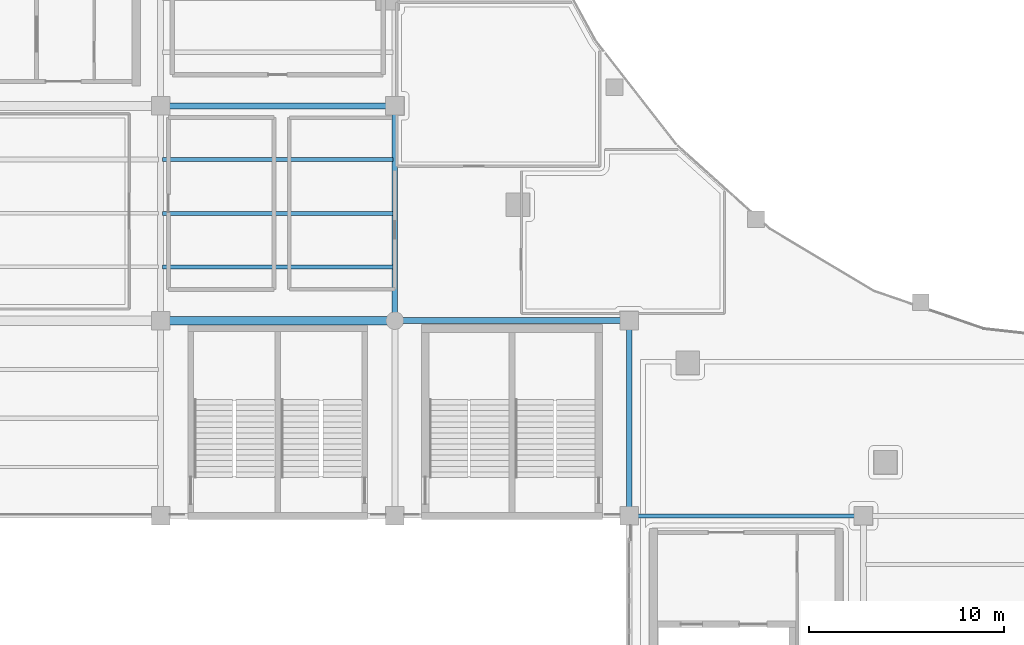
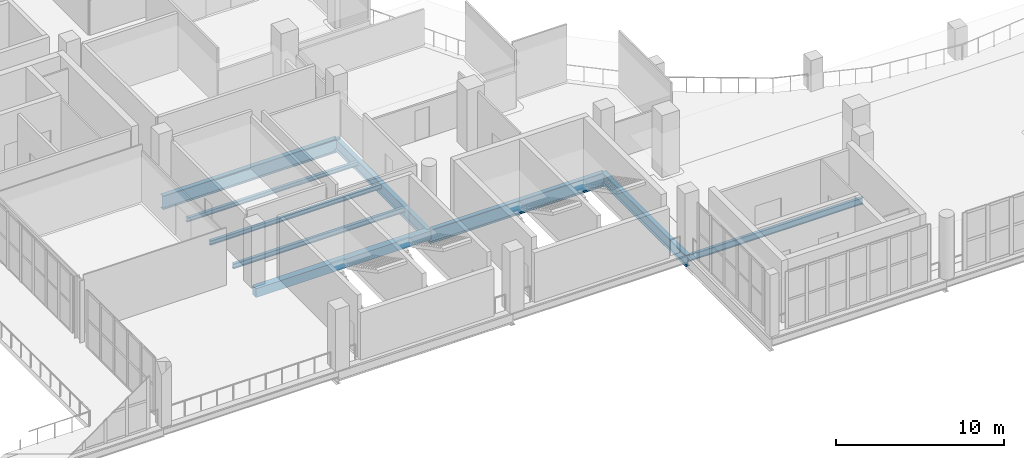
# One storey, part 19 of 90: 9 beams.
"""IFC4 building model written with IfcOpenShell, lengths in metres."""

from ifc_helpers import new_model, si_unit, direction, frame, origin, origin_2d, place, context, subcontext, project, spatial, rectangle, i_section, extrude, material, material_profile, profile_set, type_object, element, save


model = new_model("IFC4")

# Units and contexts
model_context = context("Model", 3, precision=1e-05, world=origin(), true_north=direction((0.0, 1.0)))
body_context = subcontext(model_context, "Body", "Model", "MODEL_VIEW")
ifc_project = project(units=[si_unit("LENGTHUNIT", "METRE"), si_unit("AREAUNIT", "SQUARE_METRE"), si_unit("VOLUMEUNIT", "CUBIC_METRE"), si_unit("PLANEANGLEUNIT", "RADIAN"), si_unit("MASSUNIT", "GRAM", prefix="KILO")], contexts=[model_context])

# Site, building, storey
site_placement = place(None, origin())
site = spatial("IfcSite", under=ifc_project, at=site_placement, CompositionType="ELEMENT")
building_placement = place(site_placement, origin())
building = spatial("IfcBuilding", under=site, at=building_placement, Name="Brinegate Civic Arena", CompositionType="ELEMENT")
storey_placement = place(building_placement, frame((0.0, 0.0, 14.699951171875)))
storey = spatial("IfcBuildingStorey", under=building, at=storey_placement, Name="L03", CompositionType="ELEMENT", Elevation=14.699951171875)

# Beams
ifc_material_1 = material(Name="Steel S355", Category="steel")
ifc_material_profile_1 = material_profile(ifc_material_1, i_section(OverallWidth=0.300048828125, OverallDepth=1.0, WebThickness=0.01904296875, FlangeThickness=0.031982421875, FilletRadius=0.02392578125, at=origin_2d()), Name="W1000X321")
ifc_profile_set_1 = profile_set([ifc_material_profile_1], Name="Steel S355")
beam_type_1 = type_object("IfcBeamType", Name="GIRDER-W1000X321", PredefinedType="BEAM", material=ifc_profile_set_1)
for number, where, z_axis, x_axis, name in (
    (1, (72.0, 20.0, -0.849853515625), (1.0, 0.0, 0.0), (0.0, 1.0, 0.0), "Floor Girder BM-L03-GX-06-02"),
    (2, (60.0, 31.0, -0.849853515625), (1.0, 0.0, 0.0), (0.0, 1.0, 0.0), "Floor Girder BM-L03-GX-05-03"),
):
    element("IfcBeam", number, at=place(storey_placement, frame(where, z_axis=z_axis, x_axis=x_axis)), inside=storey, type_object=beam_type_1, Name=name, PredefinedType="BEAM", context=body_context, shape_type="SweptSolid", body=[
        extrude(i_section(OverallWidth=0.300048828125, OverallDepth=1.0, WebThickness=0.01904296875, FlangeThickness=0.031982421875, FilletRadius=0.02392578125, at=origin_2d()), origin(), (0.0, 0.0, 1.0), 12.0),
    ])
ifc_material_profile_2 = material_profile(ifc_material_1, i_section(OverallWidth=0.2939453125, OverallDepth=0.85107421875, WebThickness=0.01611328125, FlangeThickness=0.027099609375, FilletRadius=0.02197265625, at=origin_2d()), Name="W840X226")
ifc_profile_set_2 = profile_set([ifc_material_profile_2], Name="Steel S355")
beam_type_2 = type_object("IfcBeamType", Name="GIRDER-W840X226", PredefinedType="BEAM", material=ifc_profile_set_2)
beam_1_placement = place(storey_placement, frame((72.0, 20.0, -0.77490234375), z_axis=(0.0, 1.0, 0.0), x_axis=(-1.0, 0.0, 0.0)))
element("IfcBeam", 3, at=beam_1_placement, inside=storey, type_object=beam_type_2, Name="Floor Girder BM-L03-GY-06-02", PredefinedType="BEAM", context=body_context, shape_type="SweptSolid", body=[
    extrude(i_section(OverallWidth=0.2939453125, OverallDepth=0.85107421875, WebThickness=0.01611328125, FlangeThickness=0.027099609375, FilletRadius=0.02197265625, at=origin_2d()), origin(), (0.0, 0.0, 1.0), 11.0),
])
beam_2_placement = place(storey_placement, frame((84.0, 10.0, -0.77490234375), z_axis=(0.0, 1.0, 0.0), x_axis=(-1.0, 0.0, 0.0)))
element("IfcBeam", 4, at=beam_2_placement, inside=storey, type_object=beam_type_2, Name="Floor Girder BM-L03-GY-07-01", PredefinedType="BEAM", context=body_context, shape_type="SweptSolid", body=[
    extrude(i_section(OverallWidth=0.2939453125, OverallDepth=0.85107421875, WebThickness=0.01611328125, FlangeThickness=0.027099609375, FilletRadius=0.02197265625, at=origin_2d()), origin(), (0.0, 0.0, 1.0), 10.0),
])
ifc_material_profile_3 = material_profile(ifc_material_1, i_section(OverallWidth=0.202880859375, OverallDepth=0.302978515625, WebThickness=0.008056640625, FlangeThickness=0.012939453125, FilletRadius=0.012939453125, at=origin_2d()), Name="W310X60")
ifc_profile_set_3 = profile_set([ifc_material_profile_3], Name="Steel S355")
beam_type_3 = type_object("IfcBeamType", Name="JOIST-W310X60", PredefinedType="JOIST", material=ifc_profile_set_3)
beam_3_placement = place(storey_placement, frame((60.10595703125, 28.25, -0.5009765625), z_axis=(1.0, 0.0, 0.0), x_axis=(0.0, 1.0, 0.0)))
element("IfcBeam", 5, at=beam_3_placement, inside=storey, type_object=beam_type_3, Name="Secondary Joist BM-L03-JX-05-02-3", PredefinedType="JOIST", context=body_context, shape_type="SweptSolid", body=[
    extrude(i_section(OverallWidth=0.202880859375, OverallDepth=0.302978515625, WebThickness=0.008056640625, FlangeThickness=0.012939453125, FilletRadius=0.012939453125, at=origin_2d()), origin(), (0.0, 0.0, 1.0), 11.7880859375),
])
ifc_material_profile_4 = material_profile(ifc_material_1, i_section(OverallWidth=0.205078125, OverallDepth=0.31005859375, WebThickness=0.009033203125, FlangeThickness=0.01611328125, FilletRadius=0.012939453125, at=origin_2d()), Name="W310X74")
ifc_profile_set_4 = profile_set([ifc_material_profile_4], Name="Steel S355")
beam_type_4 = type_object("IfcBeamType", Name="JOIST-W310X74", PredefinedType="JOIST", material=ifc_profile_set_4)
beam_4_placement = place(storey_placement, frame((60.10595703125, 25.5, -0.5048828125), z_axis=(1.0, 0.0, 0.0), x_axis=(0.0, 1.0, 0.0)))
element("IfcBeam", 6, at=beam_4_placement, inside=storey, type_object=beam_type_4, Name="Secondary Joist BM-L03-JX-05-02-2", PredefinedType="JOIST", context=body_context, shape_type="SweptSolid", body=[
    extrude(i_section(OverallWidth=0.205078125, OverallDepth=0.31005859375, WebThickness=0.009033203125, FlangeThickness=0.01611328125, FilletRadius=0.012939453125, at=origin_2d()), origin(), (0.0, 0.0, 1.0), 11.7880859375),
])
ifc_material_profile_5 = material_profile(ifc_material_1, i_section(OverallWidth=0.205078125, OverallDepth=0.35400390625, WebThickness=0.009033203125, FlangeThickness=0.01708984375, FilletRadius=0.013916015625, at=origin_2d()), Name="W360X79")
ifc_profile_set_5 = profile_set([ifc_material_profile_5], Name="Steel S355")
beam_type_5 = type_object("IfcBeamType", Name="JOIST-W360X79", PredefinedType="JOIST", material=ifc_profile_set_5)
beam_5_placement = place(storey_placement, frame((60.10595703125, 22.75, -0.52685546875), z_axis=(1.0, 0.0, 0.0), x_axis=(0.0, 1.0, 0.0)))
element("IfcBeam", 7, at=beam_5_placement, inside=storey, type_object=beam_type_5, Name="Secondary Joist BM-L03-JX-05-02-1", PredefinedType="JOIST", context=body_context, shape_type="SweptSolid", body=[
    extrude(i_section(OverallWidth=0.205078125, OverallDepth=0.35400390625, WebThickness=0.009033203125, FlangeThickness=0.01708984375, FilletRadius=0.013916015625, at=origin_2d()), origin(), (0.0, 0.0, 1.0), 11.7880859375),
])
ifc_material_2 = material(Name="Concrete C50/60", Category="concrete")
ifc_material_profile_6 = material_profile(ifc_material_2, rectangle(XDim=0.449951171875, YDim=0.64990234375, at=origin_2d()), Name="RCB450X650")
ifc_profile_set_6 = profile_set([ifc_material_profile_6], Name="Concrete C50/60")
beam_type_6 = type_object("IfcBeamType", Name="RCG-450X650", PredefinedType="BEAM", material=ifc_profile_set_6)
beam_6_placement = place(storey_placement, frame((60.0, 20.0, -0.675048828125), z_axis=(1.0, 0.0, 0.0), x_axis=(0.0, 1.0, 0.0)))
element("IfcBeam", 8, at=beam_6_placement, inside=storey, type_object=beam_type_6, Name="Floor Girder BM-L03-GX-05-02", PredefinedType="BEAM", context=body_context, shape_type="SweptSolid", body=[
    extrude(rectangle(XDim=0.449951171875, YDim=0.64990234375, at=origin_2d()), origin(), (0.0, 0.0, 1.0), 12.0),
])
ifc_material_profile_7 = material_profile(ifc_material_1, i_section(OverallWidth=0.193115234375, OverallDepth=0.466064453125, WebThickness=0.010986328125, FlangeThickness=0.01904296875, FilletRadius=0.014892578125, at=origin_2d()), Name="W460X97")
ifc_profile_set_7 = profile_set([ifc_material_profile_7], Name="Steel S355")
beam_type_7 = type_object("IfcBeamType", Name="SPANDREL-W460X97", PredefinedType="SPANDREL", material=ifc_profile_set_7)
beam_7_placement = place(storey_placement, frame((84.0, 10.0, -0.5830078125), z_axis=(1.0, 0.0, 0.0), x_axis=(0.0, 1.0, 0.0)))
element("IfcBeam", 9, at=beam_7_placement, inside=storey, type_object=beam_type_7, Name="Floor Girder BM-L03-GX-07-01", PredefinedType="SPANDREL", context=body_context, shape_type="SweptSolid", body=[
    extrude(i_section(OverallWidth=0.193115234375, OverallDepth=0.466064453125, WebThickness=0.010986328125, FlangeThickness=0.01904296875, FilletRadius=0.014892578125, at=origin_2d()), origin(), (0.0, 0.0, 1.0), 12.0),
])

save(model, "model.ifc")
